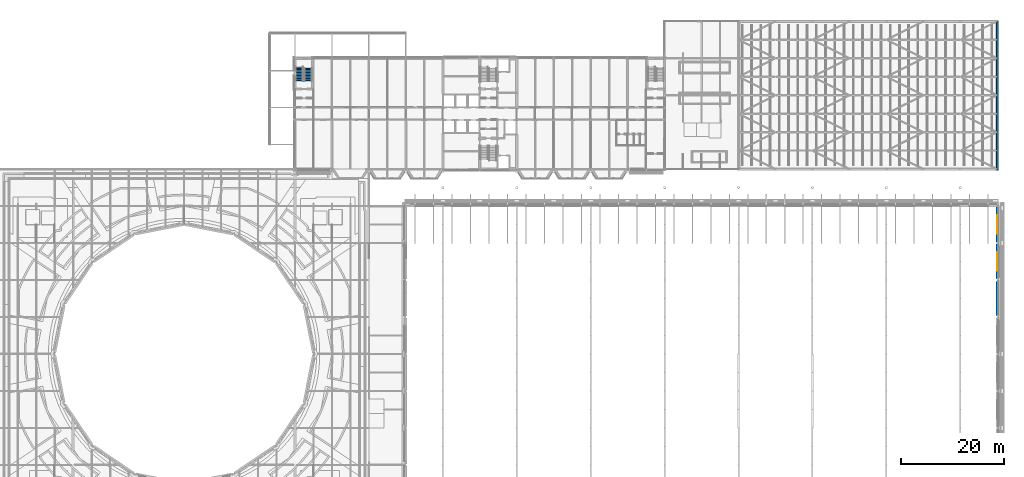
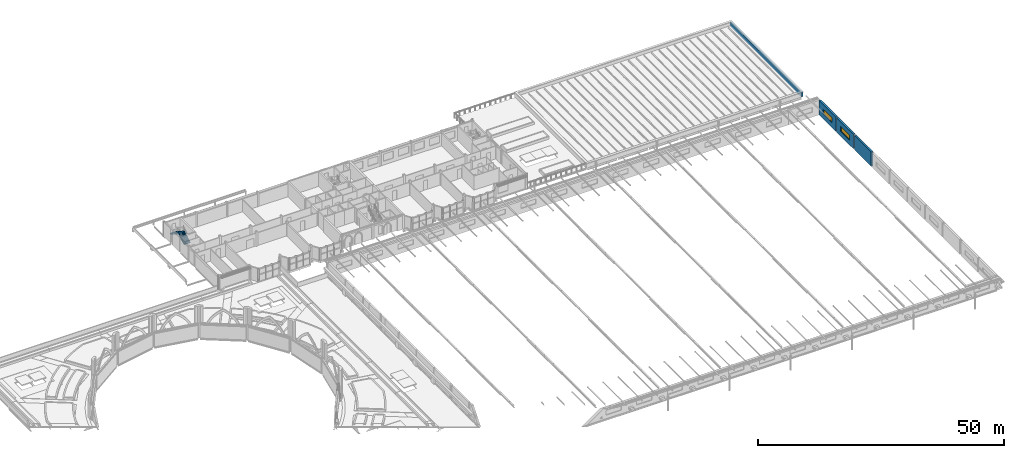
# One storey, part 48 of 110: 4 walls, 2 stair flights, 2 windows, 2 openings, 1 element without a shape of its own.
"""IFC4 building model written with IfcOpenShell, lengths in metres."""

from ifc_helpers import new_model, si_unit, direction, frame, frame_2d, origin, place, context, subcontext, project, spatial, polyline, rectangle, outline, extrude, material, layer, layer_set, type_object, element, fill, aggregate, save


model = new_model("IFC4")

# Units and contexts
model_context = context("Model", 3, precision=1e-05, world=origin(), true_north=direction((0.0, 1.0)))
body_context = subcontext(model_context, "Body", "Model", "MODEL_VIEW")
ifc_project = project(units=[si_unit("LENGTHUNIT", "METRE"), si_unit("AREAUNIT", "SQUARE_METRE"), si_unit("VOLUMEUNIT", "CUBIC_METRE"), si_unit("PLANEANGLEUNIT", "RADIAN"), si_unit("MASSUNIT", "GRAM", prefix="KILO")], contexts=[model_context])

# Site, building, storey
site_placement = place(None, origin())
site = spatial("IfcSite", under=ifc_project, at=site_placement, CompositionType="ELEMENT")
building_placement = place(site_placement, origin())
building = spatial("IfcBuilding", under=site, at=building_placement, Name="Kupolbacken Congress Centre", CompositionType="ELEMENT")
storey_placement = place(building_placement, frame((0.0, 0.0, 18.0)))
storey = spatial("IfcBuildingStorey", under=building, at=storey_placement, Name="L05", CompositionType="ELEMENT", Elevation=18.0)

# Wall
ifc_material_1 = material(Name="Brick", Category="masonry")
ifc_layer_1 = layer(ifc_material_1, 0.10791015625)
ifc_material_2 = material(Name="Air cavity", Category="air")
ifc_layer_2 = layer(ifc_material_2, 0.0400390625, ventilated=True)
ifc_material_3 = material(Name="Mineral wool", Category="insulation")
ifc_layer_3 = layer(ifc_material_3, 0.152099609375)
ifc_material_4 = material(Name="Concrete block", Category="masonry")
ifc_layer_4 = layer(ifc_material_4, 0.1201171875)
ifc_layer_set_1 = layer_set([ifc_layer_1, ifc_layer_2, ifc_layer_3, ifc_layer_4], Name="Brick / Mineral wool / Concrete block")
wall_type_1 = type_object("IfcWallType", Name="EW04 external cavity wall 420", PredefinedType="SOLIDWALL", material=ifc_layer_set_1)
wall_1_placement = place(storey_placement, frame((201.60009765625, 93.844970703125, 0.0), z_axis=(0.0, 0.0, 1.0), x_axis=(0.0, 1.0, 0.0)))
element("IfcWall", 1, at=wall_1_placement, inside=storey, type_object=wall_type_1, Name="E/H/E/L05/464", PredefinedType="SOLIDWALL", context=body_context, shape_type="SweptSolid", body=[
    extrude(rectangle(XDim=6.7099609375, YDim=0.419921875, at=frame_2d((3.35498046875, 0.0))), origin(), (0.0, 0.0, 1.0), 3.60009765625),
])

# Wall, opening, window
wall_2_placement = place(storey_placement, frame((201.60009765625, 101.044921875, 0.0), z_axis=(0.0, 0.0, 1.0), x_axis=(0.0, 1.0, 0.0)))
wall_2 = element("IfcWall", 2, at=wall_2_placement, inside=storey, type_object=wall_type_1, Name="E/H/E/L05/465", PredefinedType="SOLIDWALL", context=body_context, shape_type="SweptSolid", body=[
    extrude(rectangle(XDim=6.81005859375, YDim=0.419921875, at=frame_2d((3.405029296875, 0.0))), origin(), (0.0, 0.0, 1.0), 3.60009765625),
])
opening_1_placement = place(wall_2_placement, frame((1.554931640625, 0.0, 1.199951171875)))
opening_1 = element("IfcOpeningElement", 3, at=opening_1_placement, cuts=wall_2, Name="Opening W12", PredefinedType="OPENING", context=body_context, shape_type="SweptSolid", body=[
    extrude(rectangle(XDim=3.60009765625, YDim=1.199951171875, at=frame_2d((1.800048828125, 0.60009765625))), frame((0.0, 0.219970703125, 0.0), z_axis=(0.0, -1.0, 0.0), x_axis=(1.0, 0.0, 0.0)), (0.0, 0.0, 1.0), 0.43994140625),
])
ifc_material_5 = material(Name="Aluminium frame with double or triple glazing", Category="aluminium")
window_type = type_object("IfcWindowType", Name="W12 window 3600x1200", PartitioningType="TRIPLE_PANEL_VERTICAL", PredefinedType="WINDOW", material=ifc_material_5)
window_1_placement = place(opening_1_placement, origin())
window_1 = element("IfcWindow", 4, at=window_1_placement, inside=storey, type_object=window_type, Name="E/H/E/L05/465/W1", OverallHeight=1.199951171875, OverallWidth=3.60009765625, PartitioningType="SINGLE_PANEL", PredefinedType="WINDOW", context=body_context, shape_type="SweptSolid", body=[
    extrude(rectangle(XDim=3.60009765625, YDim=1.199951171875, at=frame_2d((1.800048828125, 0.60009765625))), frame((0.0, 0.030029296875, 0.0), z_axis=(0.0, -1.0, 0.0), x_axis=(1.0, 0.0, 0.0)), (0.0, 0.0, 1.0), 0.06005859375),
])
fill(opening_1, window_1)

wall_3_placement = place(storey_placement, frame((201.60009765625, 108.14501953125, 0.0), z_axis=(0.0, 0.0, 1.0), x_axis=(0.0, 1.0, 0.0)))
wall_3 = element("IfcWall", 5, at=wall_3_placement, inside=storey, type_object=wall_type_1, Name="E/H/E/L05/466", PredefinedType="SOLIDWALL", context=body_context, shape_type="SweptSolid", body=[
    extrude(rectangle(XDim=6.844970703125, YDim=0.419921875, at=frame_2d((3.42236328125, 0.0))), origin(), (0.0, 0.0, 1.0), 3.60009765625),
])
opening_2_placement = place(wall_3_placement, frame((1.655029296875, 0.0, 1.199951171875)))
opening_2 = element("IfcOpeningElement", 6, at=opening_2_placement, cuts=wall_3, Name="Opening W12", PredefinedType="OPENING", context=body_context, shape_type="SweptSolid", body=[
    extrude(rectangle(XDim=3.60009765625, YDim=1.199951171875, at=frame_2d((1.800048828125, 0.60009765625))), frame((0.0, 0.219970703125, 0.0), z_axis=(0.0, -1.0, 0.0), x_axis=(1.0, 0.0, 0.0)), (0.0, 0.0, 1.0), 0.43994140625),
])
window_2_placement = place(opening_2_placement, origin())
window_2 = element("IfcWindow", 7, at=window_2_placement, inside=storey, type_object=window_type, Name="E/H/E/L05/466/W1", OverallHeight=1.199951171875, OverallWidth=3.60009765625, PartitioningType="SINGLE_PANEL", PredefinedType="WINDOW", context=body_context, shape_type="SweptSolid", body=[
    extrude(rectangle(XDim=3.60009765625, YDim=1.199951171875, at=frame_2d((1.800048828125, 0.60009765625))), frame((0.0, 0.030029296875, 0.0), z_axis=(0.0, -1.0, 0.0), x_axis=(1.0, 0.0, 0.0)), (0.0, 0.0, 1.0), 0.06005859375),
])
fill(opening_2, window_2)

# Wall
ifc_layer_5 = layer(ifc_material_1, 0.10791015625)
ifc_layer_6 = layer(ifc_material_4, 0.251953125)
ifc_layer_set_2 = layer_set([ifc_layer_5, ifc_layer_6], Name="Brick / Concrete block")
wall_type_2 = type_object("IfcWallType", Name="PW4 parapet 360", PredefinedType="PARAPET", material=ifc_layer_set_2)
wall_4_placement = place(storey_placement, frame((201.60009765625, 122.219970703125, 0.0), z_axis=(0.0, 0.0, 1.0), x_axis=(0.0, 1.0, 0.0)))
element("IfcWall", 8, at=wall_4_placement, inside=storey, type_object=wall_type_2, Name="E/roof/ballroom/02", PredefinedType="PARAPET", context=body_context, shape_type="SweptSolid", body=[
    extrude(rectangle(XDim=28.97998046875, YDim=0.360107421875, at=frame_2d((14.489990234375, 0.0))), origin(), (0.0, 0.0, 1.0), 1.10009765625),
])

# Stair, stair flights
ifc_material_6 = material(Name="Steel S355", Category="steel")
stair_type = type_object("IfcStairType", Name="ST2 stair 1500", PredefinedType="TWO_STRAIGHT_RUN_STAIR", material=ifc_material_6)
stair_placement = place(storey_placement, origin())
stair = element("IfcStair", 9, at=stair_placement, inside=storey, type_object=stair_type, Name="C/stair/TS3/L05", PredefinedType="NOTDEFINED")
ifc_material_7 = material(Name="Steel S355", Category="steel")
stair_flight_type_1 = type_object("IfcStairFlightType", Name="FL3 stair flight 1500 x 10 risers", PredefinedType="STRAIGHT", material=ifc_material_7)
stair_flight_1_placement = place(storey_placement, frame((67.35009765625, 139.530029296875, 0.0), z_axis=(0.0, 0.0, 1.0), x_axis=(0.0, 1.0, 0.0)))
stair_flight_1 = element("IfcStairFlight", 10, at=stair_flight_1_placement, type_object=stair_flight_type_1, Name="TS3 flight 1", NumberOfRisers=10, NumberOfTreads=9, PredefinedType="STRAIGHT", RiserHeight=0.171428571, TreadLength=0.28, context=body_context, shape_type="SweptSolid", body=[
    extrude(outline(polyline([(0.0, 0.0), (0.0, 0.0009765625), (0.0, 0.002197265625), (0.0, 0.003173828125), (0.0, 0.004150390625), (0.0, 0.00537109375), (0.0, 0.00634765625), (0.0, 0.007568359375), (0.0, 0.008544921875), (0.0, 0.009521484375), (0.0, 0.0107421875), (0.0, 0.01171875), (0.0, 0.0126953125), (0.0, 0.013916015625), (0.0, 0.014892578125), (0.0, 0.015869140625), (0.0, 0.01708984375), (0.0, 0.01806640625), (0.0, 0.019287109375), (0.0, 0.020263671875), (0.0, 0.021240234375), (0.0, 0.0224609375), (0.0, 0.0234375), (0.0, 0.0244140625), (0.0, 0.025634765625), (0.0, 0.026611328125), (0.0, 0.027587890625), (0.0, 0.02880859375), (0.0, 0.02978515625), (0.0, 0.03076171875), (0.0, 0.031982421875), (0.0, 0.032958984375), (0.0, 0.0341796875), (0.0, 0.03515625), (0.0, 0.0361328125), (0.0, 0.037353515625), (0.0, 0.038330078125), (0.0, 0.039306640625), (0.0, 0.04052734375), (0.0, 0.04150390625), (0.0, 0.04248046875), (0.0, 0.043701171875), (0.0, 0.044677734375), (0.0, 0.0458984375), (0.0, 0.046875), (0.0, 0.0478515625), (0.0, 0.049072265625), (0.0, 0.050048828125), (0.0, 0.051025390625), (0.0, 0.05224609375), (0.0, 0.05322265625), (0.0, 0.05419921875), (0.0, 0.055419921875), (0.0, 0.056396484375), (0.0, 0.0576171875), (0.0, 0.05859375), (0.0, 0.0595703125), (0.0, 0.060791015625), (0.0, 0.061767578125), (0.0, 0.062744140625), (0.0, 0.06396484375), (0.0, 0.06494140625), (0.0, 0.06591796875), (0.0, 0.067138671875), (0.0, 0.068115234375), (0.0, 0.069091796875), (0.0, 0.0703125), (0.0, 0.0712890625), (0.0, 0.072509765625), (0.0, 0.073486328125), (0.0, 0.074462890625), (0.0, 0.07568359375), (0.0, 0.07666015625), (0.0, 0.07763671875), (0.0, 0.078857421875), (0.0, 0.079833984375), (0.0, 0.080810546875), (0.0, 0.08203125), (0.0, 0.0830078125), (0.0, 0.084228515625), (0.0, 0.085205078125), (0.0, 0.086181640625), (0.0, 0.08740234375), (0.0, 0.08837890625), (0.0, 0.08935546875), (0.0, 0.090576171875), (0.0, 0.091552734375), (0.0, 0.092529296875), (0.0, 0.09375), (0.0, 0.0947265625), (0.0, 0.095947265625), (0.0, 0.096923828125), (0.0, 0.097900390625), (0.0, 0.09912109375), (0.0, 0.10009765625), (0.0, 0.10107421875), (0.0, 0.102294921875), (0.0, 0.103271484375), (0.0, 0.104248046875), (0.0, 0.10546875), (0.0, 0.1064453125), (0.0, 0.107421875), (0.0, 0.108642578125), (0.0, 0.109619140625), (0.0, 0.11083984375), (0.0, 0.11181640625), (0.0, 0.11279296875), (0.0, 0.114013671875), (0.0, 0.114990234375), (0.0, 0.115966796875), (0.0, 0.1171875), (0.0, 0.1181640625), (0.0, 0.119140625), (0.0, 0.120361328125), (0.0, 0.121337890625), (0.0, 0.12255859375), (0.0, 0.12353515625), (0.0, 0.12451171875), (0.0, 0.125732421875), (0.0, 0.126708984375), (0.0, 0.127685546875), (0.0, 0.12890625), (0.0, 0.1298828125), (0.0, 0.130859375), (0.0, 0.132080078125), (0.0, 0.133056640625), (0.0, 0.13427734375), (0.0, 0.13525390625), (0.0, 0.13623046875), (0.0, 0.137451171875), (0.0, 0.138427734375), (0.0, 0.139404296875), (0.0, 0.140625), (0.0, 0.1416015625), (0.0, 0.142578125), (0.0, 0.143798828125), (0.0, 0.144775390625), (0.0, 0.145751953125), (0.0, 0.14697265625), (0.0, 0.14794921875), (0.0, 0.149169921875), (0.0, 0.150146484375), (0.0, 0.151123046875), (0.0, 0.15234375), (0.0, 0.1533203125), (0.0, 0.154296875), (0.0, 0.155517578125), (0.0, 0.156494140625), (0.0, 0.157470703125), (0.0, 0.15869140625), (0.0, 0.15966796875), (0.0, 0.160888671875), (0.0, 0.161865234375), (0.0, 0.162841796875), (0.0, 0.1640625), (0.0, 0.1650390625), (0.0, 0.166015625), (0.0, 0.167236328125), (0.0, 0.168212890625), (0.0, 0.169189453125), (0.0, 0.17041015625), (0.0, 0.17138671875), (0.280029296875, 0.17138671875), (0.280029296875, 0.3427734375), (0.56005859375, 0.3427734375), (0.56005859375, 0.514404296875), (0.840087890625, 0.514404296875), (0.840087890625, 0.685791015625), (1.1201171875, 0.685791015625), (1.1201171875, 0.857177734375), (1.39990234375, 0.857177734375), (1.39990234375, 1.028564453125), (1.679931640625, 1.028564453125), (1.679931640625, 1.199951171875), (1.9599609375, 1.199951171875), (1.9599609375, 1.371337890625), (2.239990234375, 1.371337890625), (2.239990234375, 1.54296875), (2.52001953125, 1.54296875), (2.52001953125, 1.71435546875), (2.52197265625, 1.71435546875), (2.52197265625, 1.712158203125), (2.52197265625, 1.7099609375), (2.52197265625, 1.707763671875), (2.52197265625, 1.70556640625), (2.52197265625, 1.70361328125), (2.52197265625, 1.701416015625), (2.52197265625, 1.69921875), (2.52197265625, 1.697021484375), (2.52197265625, 1.69482421875), (2.52197265625, 1.692626953125), (2.52197265625, 1.690673828125), (2.52197265625, 1.6884765625), (2.52197265625, 1.686279296875), (2.52197265625, 1.68408203125), (2.52197265625, 1.681884765625), (2.52197265625, 1.6796875), (2.52197265625, 1.677734375), (2.52197265625, 1.675537109375), (2.52197265625, 1.67333984375), (2.52197265625, 1.671142578125), (2.52197265625, 1.6689453125), (2.52197265625, 1.666748046875), (2.52197265625, 1.664794921875), (2.52197265625, 1.66259765625), (2.52197265625, 1.660400390625), (2.52197265625, 1.658203125), (2.52197265625, 1.656005859375), (2.52197265625, 1.65380859375), (2.52197265625, 1.65185546875), (2.52197265625, 1.649658203125), (2.52197265625, 1.6474609375), (2.52197265625, 1.645263671875), (2.52197265625, 1.64306640625), (2.52197265625, 1.640869140625), (2.52197265625, 1.638916015625), (2.52197265625, 1.63671875), (2.52197265625, 1.634521484375), (2.52197265625, 1.63232421875), (2.52197265625, 1.630126953125), (2.52197265625, 1.6279296875), (2.52197265625, 1.6259765625), (2.52197265625, 1.623779296875), (2.52197265625, 1.62158203125), (2.52197265625, 1.619384765625), (2.52197265625, 1.6171875), (2.52197265625, 1.614990234375), (2.52197265625, 1.613037109375), (2.52197265625, 1.61083984375), (2.52197265625, 1.608642578125), (2.52197265625, 1.6064453125), (2.52197265625, 1.604248046875), (2.52197265625, 1.60205078125), (2.52197265625, 1.60009765625), (2.52197265625, 1.597900390625), (2.52197265625, 1.595703125), (2.52197265625, 1.593505859375), (2.52197265625, 1.59130859375), (2.52197265625, 1.589111328125), (2.52197265625, 1.587158203125), (2.52197265625, 1.5849609375), (2.52197265625, 1.582763671875), (2.52197265625, 1.58056640625), (2.52197265625, 1.578369140625), (2.52197265625, 1.576171875), (2.52197265625, 1.57421875), (2.52197265625, 1.572021484375), (2.52197265625, 1.56982421875), (2.52197265625, 1.567626953125), (2.52197265625, 1.5654296875), (2.52197265625, 1.563232421875), (2.52197265625, 1.561279296875), (2.52197265625, 1.55908203125), (2.52197265625, 1.556884765625), (2.52197265625, 1.5546875), (2.52197265625, 1.552490234375), (2.52197265625, 1.55029296875), (2.52197265625, 1.54833984375), (2.52197265625, 1.546142578125), (2.52197265625, 1.5439453125), (2.52197265625, 1.541748046875), (2.52197265625, 1.53955078125), (2.52197265625, 1.537353515625), (2.52197265625, 1.535400390625), (2.52197265625, 1.533203125), (2.52197265625, 1.531005859375), (2.52197265625, 1.52880859375), (2.52197265625, 1.526611328125), (2.52197265625, 1.5244140625), (2.52197265625, 1.5224609375), (2.52197265625, 1.520263671875), (2.52197265625, 1.51806640625), (2.52197265625, 1.515869140625), (2.52197265625, 1.513671875), (2.52197265625, 1.511474609375), (2.52197265625, 1.509521484375), (2.52197265625, 1.50732421875), (2.52197265625, 1.505126953125), (2.52197265625, 1.5029296875), (2.52197265625, 1.500732421875), (2.52197265625, 1.49853515625), (2.52197265625, 1.49658203125), (2.52197265625, 1.494384765625), (2.52197265625, 1.4921875), (2.52197265625, 1.489990234375), (2.52197265625, 1.48779296875), (2.52197265625, 1.485595703125), (2.52197265625, 1.483642578125), (2.52197265625, 1.4814453125), (2.52197265625, 1.479248046875), (2.52197265625, 1.47705078125), (2.52197265625, 1.474853515625), (2.52197265625, 1.47265625), (2.52197265625, 1.470703125), (2.52197265625, 1.468505859375), (2.52197265625, 1.46630859375), (2.52197265625, 1.464111328125), (2.52197265625, 1.4619140625), (2.52197265625, 1.459716796875), (2.52197265625, 1.457763671875), (2.52197265625, 1.45556640625), (2.52197265625, 1.453369140625), (2.52197265625, 1.451171875), (2.52197265625, 1.448974609375), (2.52197265625, 1.44677734375), (2.52197265625, 1.44482421875), (2.52197265625, 1.442626953125), (2.52197265625, 1.4404296875), (2.52197265625, 1.438232421875), (2.52197265625, 1.43603515625), (2.52197265625, 1.433837890625), (2.52197265625, 1.431884765625), (2.52197265625, 1.4296875), (2.52197265625, 1.427490234375), (2.52197265625, 1.42529296875), (2.52197265625, 1.423095703125), (2.52197265625, 1.4208984375), (2.52197265625, 1.4189453125), (2.52197265625, 1.416748046875), (2.52197265625, 1.41455078125), (2.52197265625, 1.412353515625), (2.52197265625, 1.41015625), (2.52197265625, 1.407958984375), (2.52197265625, 1.406005859375), (2.52197265625, 1.40380859375), (2.52197265625, 1.401611328125), (2.52197265625, 1.3994140625), (2.52197265625, 1.397216796875), (2.52197265625, 1.39501953125), (2.52197265625, 1.39306640625), (2.52197265625, 1.390869140625), (2.52197265625, 1.388671875), (2.52197265625, 1.386474609375), (2.52197265625, 1.38427734375), (2.52197265625, 1.382080078125), (2.52197265625, 1.380126953125), (2.52197265625, 1.3779296875), (2.52197265625, 1.375732421875), (2.52197265625, 1.37353515625), (2.52197265625, 1.371337890625), (2.52197265625, 1.369140625), (2.52197265625, 1.3671875), (0.2890625, 0.0), (0.0, 0.0)])), frame((0.0, 0.75, 0.0), z_axis=(0.0, -1.0, 0.0), x_axis=(1.0, 0.0, 0.0)), (0.0, 0.0, 1.0), 1.5),
])
ifc_material_8 = material(Name="Steel S355", Category="steel")
stair_flight_type_2 = type_object("IfcStairFlightType", Name="FL4 stair flight 1500 x 11 risers", PredefinedType="STRAIGHT", material=ifc_material_8)
stair_flight_2_placement = place(storey_placement, frame((65.64990234375, 142.330078125, 1.71435546875), z_axis=(0.0, 0.0, 1.0), x_axis=(0.0, -1.0, 0.0)))
stair_flight_2 = element("IfcStairFlight", 11, at=stair_flight_2_placement, type_object=stair_flight_type_2, Name="TS3 flight 2", NumberOfRisers=11, NumberOfTreads=10, PredefinedType="STRAIGHT", RiserHeight=0.171428571, TreadLength=0.28, context=body_context, shape_type="SweptSolid", body=[
    extrude(outline(polyline([(0.0, 0.0), (0.0, 0.0009765625), (0.0, 0.002197265625), (0.0, 0.003173828125), (0.0, 0.004150390625), (0.0, 0.00537109375), (0.0, 0.00634765625), (0.0, 0.007568359375), (0.0, 0.008544921875), (0.0, 0.009521484375), (0.0, 0.0107421875), (0.0, 0.01171875), (0.0, 0.0126953125), (0.0, 0.013916015625), (0.0, 0.014892578125), (0.0, 0.015869140625), (0.0, 0.01708984375), (0.0, 0.01806640625), (0.0, 0.019287109375), (0.0, 0.020263671875), (0.0, 0.021240234375), (0.0, 0.0224609375), (0.0, 0.0234375), (0.0, 0.0244140625), (0.0, 0.025634765625), (0.0, 0.026611328125), (0.0, 0.027587890625), (0.0, 0.02880859375), (0.0, 0.02978515625), (0.0, 0.03076171875), (0.0, 0.031982421875), (0.0, 0.032958984375), (0.0, 0.0341796875), (0.0, 0.03515625), (0.0, 0.0361328125), (0.0, 0.037353515625), (0.0, 0.038330078125), (0.0, 0.039306640625), (0.0, 0.04052734375), (0.0, 0.04150390625), (0.0, 0.04248046875), (0.0, 0.043701171875), (0.0, 0.044677734375), (0.0, 0.0458984375), (0.0, 0.046875), (0.0, 0.0478515625), (0.0, 0.049072265625), (0.0, 0.050048828125), (0.0, 0.051025390625), (0.0, 0.05224609375), (0.0, 0.05322265625), (0.0, 0.05419921875), (0.0, 0.055419921875), (0.0, 0.056396484375), (0.0, 0.0576171875), (0.0, 0.05859375), (0.0, 0.0595703125), (0.0, 0.060791015625), (0.0, 0.061767578125), (0.0, 0.062744140625), (0.0, 0.06396484375), (0.0, 0.06494140625), (0.0, 0.06591796875), (0.0, 0.067138671875), (0.0, 0.068115234375), (0.0, 0.069091796875), (0.0, 0.0703125), (0.0, 0.0712890625), (0.0, 0.072509765625), (0.0, 0.073486328125), (0.0, 0.074462890625), (0.0, 0.07568359375), (0.0, 0.07666015625), (0.0, 0.07763671875), (0.0, 0.078857421875), (0.0, 0.079833984375), (0.0, 0.080810546875), (0.0, 0.08203125), (0.0, 0.0830078125), (0.0, 0.084228515625), (0.0, 0.085205078125), (0.0, 0.086181640625), (0.0, 0.08740234375), (0.0, 0.08837890625), (0.0, 0.08935546875), (0.0, 0.090576171875), (0.0, 0.091552734375), (0.0, 0.092529296875), (0.0, 0.09375), (0.0, 0.0947265625), (0.0, 0.095947265625), (0.0, 0.096923828125), (0.0, 0.097900390625), (0.0, 0.09912109375), (0.0, 0.10009765625), (0.0, 0.10107421875), (0.0, 0.102294921875), (0.0, 0.103271484375), (0.0, 0.104248046875), (0.0, 0.10546875), (0.0, 0.1064453125), (0.0, 0.107421875), (0.0, 0.108642578125), (0.0, 0.109619140625), (0.0, 0.11083984375), (0.0, 0.11181640625), (0.0, 0.11279296875), (0.0, 0.114013671875), (0.0, 0.114990234375), (0.0, 0.115966796875), (0.0, 0.1171875), (0.0, 0.1181640625), (0.0, 0.119140625), (0.0, 0.120361328125), (0.0, 0.121337890625), (0.0, 0.12255859375), (0.0, 0.12353515625), (0.0, 0.12451171875), (0.0, 0.125732421875), (0.0, 0.126708984375), (0.0, 0.127685546875), (0.0, 0.12890625), (0.0, 0.1298828125), (0.0, 0.130859375), (0.0, 0.132080078125), (0.0, 0.133056640625), (0.0, 0.13427734375), (0.0, 0.13525390625), (0.0, 0.13623046875), (0.0, 0.137451171875), (0.0, 0.138427734375), (0.0, 0.139404296875), (0.0, 0.140625), (0.0, 0.1416015625), (0.0, 0.142578125), (0.0, 0.143798828125), (0.0, 0.144775390625), (0.0, 0.145751953125), (0.0, 0.14697265625), (0.0, 0.14794921875), (0.0, 0.149169921875), (0.0, 0.150146484375), (0.0, 0.151123046875), (0.0, 0.15234375), (0.0, 0.1533203125), (0.0, 0.154296875), (0.0, 0.155517578125), (0.0, 0.156494140625), (0.0, 0.157470703125), (0.0, 0.15869140625), (0.0, 0.15966796875), (0.0, 0.160888671875), (0.0, 0.161865234375), (0.0, 0.162841796875), (0.0, 0.1640625), (0.0, 0.1650390625), (0.0, 0.166015625), (0.0, 0.167236328125), (0.0, 0.168212890625), (0.0, 0.169189453125), (0.0, 0.17041015625), (0.0, 0.17138671875), (0.280029296875, 0.17138671875), (0.280029296875, 0.3427734375), (0.56005859375, 0.3427734375), (0.56005859375, 0.514404296875), (0.840087890625, 0.514404296875), (0.840087890625, 0.685791015625), (1.1201171875, 0.685791015625), (1.1201171875, 0.857177734375), (1.39990234375, 0.857177734375), (1.39990234375, 1.028564453125), (1.679931640625, 1.028564453125), (1.679931640625, 1.199951171875), (1.9599609375, 1.199951171875), (1.9599609375, 1.371337890625), (2.239990234375, 1.371337890625), (2.239990234375, 1.54296875), (2.52001953125, 1.54296875), (2.52001953125, 1.71435546875), (2.800048828125, 1.71435546875), (2.800048828125, 1.8857421875), (2.802001953125, 1.8857421875), (2.802001953125, 1.883544921875), (2.802001953125, 1.88134765625), (2.802001953125, 1.879150390625), (2.802001953125, 1.877197265625), (2.802001953125, 1.875), (2.802001953125, 1.872802734375), (2.802001953125, 1.87060546875), (2.802001953125, 1.868408203125), (2.802001953125, 1.8662109375), (2.802001953125, 1.8642578125), (2.802001953125, 1.862060546875), (2.802001953125, 1.85986328125), (2.802001953125, 1.857666015625), (2.802001953125, 1.85546875), (2.802001953125, 1.853271484375), (2.802001953125, 1.851318359375), (2.802001953125, 1.84912109375), (2.802001953125, 1.846923828125), (2.802001953125, 1.8447265625), (2.802001953125, 1.842529296875), (2.802001953125, 1.84033203125), (2.802001953125, 1.83837890625), (2.802001953125, 1.836181640625), (2.802001953125, 1.833984375), (2.802001953125, 1.831787109375), (2.802001953125, 1.82958984375), (2.802001953125, 1.827392578125), (2.802001953125, 1.825439453125), (2.802001953125, 1.8232421875), (2.802001953125, 1.821044921875), (2.802001953125, 1.81884765625), (2.802001953125, 1.816650390625), (2.802001953125, 1.814453125), (2.802001953125, 1.8125), (2.802001953125, 1.810302734375), (2.802001953125, 1.80810546875), (2.802001953125, 1.805908203125), (2.802001953125, 1.8037109375), (2.802001953125, 1.801513671875), (2.802001953125, 1.799560546875), (2.802001953125, 1.79736328125), (2.802001953125, 1.795166015625), (2.802001953125, 1.79296875), (2.802001953125, 1.790771484375), (2.802001953125, 1.78857421875), (2.802001953125, 1.78662109375), (2.802001953125, 1.784423828125), (2.802001953125, 1.7822265625), (2.802001953125, 1.780029296875), (2.802001953125, 1.77783203125), (2.802001953125, 1.775634765625), (2.802001953125, 1.773681640625), (2.802001953125, 1.771484375), (2.802001953125, 1.769287109375), (2.802001953125, 1.76708984375), (2.802001953125, 1.764892578125), (2.802001953125, 1.7626953125), (2.802001953125, 1.7607421875), (2.802001953125, 1.758544921875), (2.802001953125, 1.75634765625), (2.802001953125, 1.754150390625), (2.802001953125, 1.751953125), (2.802001953125, 1.749755859375), (2.802001953125, 1.747802734375), (2.802001953125, 1.74560546875), (2.802001953125, 1.743408203125), (2.802001953125, 1.7412109375), (2.802001953125, 1.739013671875), (2.802001953125, 1.73681640625), (2.802001953125, 1.73486328125), (2.802001953125, 1.732666015625), (2.802001953125, 1.73046875), (2.802001953125, 1.728271484375), (2.802001953125, 1.72607421875), (2.802001953125, 1.723876953125), (2.802001953125, 1.721923828125), (2.802001953125, 1.7197265625), (2.802001953125, 1.717529296875), (2.802001953125, 1.71533203125), (2.802001953125, 1.713134765625), (2.802001953125, 1.7109375), (2.802001953125, 1.708984375), (2.802001953125, 1.706787109375), (2.802001953125, 1.70458984375), (2.802001953125, 1.702392578125), (2.802001953125, 1.7001953125), (2.802001953125, 1.697998046875), (2.802001953125, 1.696044921875), (2.802001953125, 1.69384765625), (2.802001953125, 1.691650390625), (2.802001953125, 1.689453125), (2.802001953125, 1.687255859375), (2.802001953125, 1.68505859375), (2.802001953125, 1.68310546875), (2.802001953125, 1.680908203125), (2.802001953125, 1.6787109375), (2.802001953125, 1.676513671875), (2.802001953125, 1.67431640625), (2.802001953125, 1.672119140625), (2.802001953125, 1.670166015625), (2.802001953125, 1.66796875), (2.802001953125, 1.665771484375), (2.802001953125, 1.66357421875), (2.802001953125, 1.661376953125), (2.802001953125, 1.6591796875), (2.802001953125, 1.6572265625), (2.802001953125, 1.655029296875), (2.802001953125, 1.65283203125), (2.802001953125, 1.650634765625), (2.802001953125, 1.6484375), (2.802001953125, 1.646240234375), (2.802001953125, 1.644287109375), (2.802001953125, 1.64208984375), (2.802001953125, 1.639892578125), (2.802001953125, 1.6376953125), (2.802001953125, 1.635498046875), (2.802001953125, 1.63330078125), (2.802001953125, 1.63134765625), (2.802001953125, 1.629150390625), (2.802001953125, 1.626953125), (2.802001953125, 1.624755859375), (2.802001953125, 1.62255859375), (2.802001953125, 1.620361328125), (2.802001953125, 1.618408203125), (2.802001953125, 1.6162109375), (2.802001953125, 1.614013671875), (2.802001953125, 1.61181640625), (2.802001953125, 1.609619140625), (2.802001953125, 1.607421875), (2.802001953125, 1.60546875), (2.802001953125, 1.603271484375), (2.802001953125, 1.60107421875), (2.802001953125, 1.598876953125), (2.802001953125, 1.5966796875), (2.802001953125, 1.594482421875), (2.802001953125, 1.592529296875), (2.802001953125, 1.59033203125), (2.802001953125, 1.588134765625), (2.802001953125, 1.5859375), (2.802001953125, 1.583740234375), (2.802001953125, 1.58154296875), (2.802001953125, 1.57958984375), (2.802001953125, 1.577392578125), (2.802001953125, 1.5751953125), (2.802001953125, 1.572998046875), (2.802001953125, 1.57080078125), (2.802001953125, 1.568603515625), (2.802001953125, 1.566650390625), (2.802001953125, 1.564453125), (2.802001953125, 1.562255859375), (2.802001953125, 1.56005859375), (2.802001953125, 1.557861328125), (2.802001953125, 1.5556640625), (2.802001953125, 1.5537109375), (2.802001953125, 1.551513671875), (2.802001953125, 1.54931640625), (2.802001953125, 1.547119140625), (2.802001953125, 1.544921875), (2.802001953125, 1.542724609375), (2.802001953125, 1.540771484375), (2.802001953125, 1.53857421875), (0.2890625, 0.0), (0.0, 0.0)])), frame((0.0, 0.75, 0.0), z_axis=(0.0, -1.0, 0.0), x_axis=(1.0, 0.0, 0.0)), (0.0, 0.0, 1.0), 1.5),
])
aggregate(stair, [stair_flight_1, stair_flight_2])

save(model, "model.ifc")
